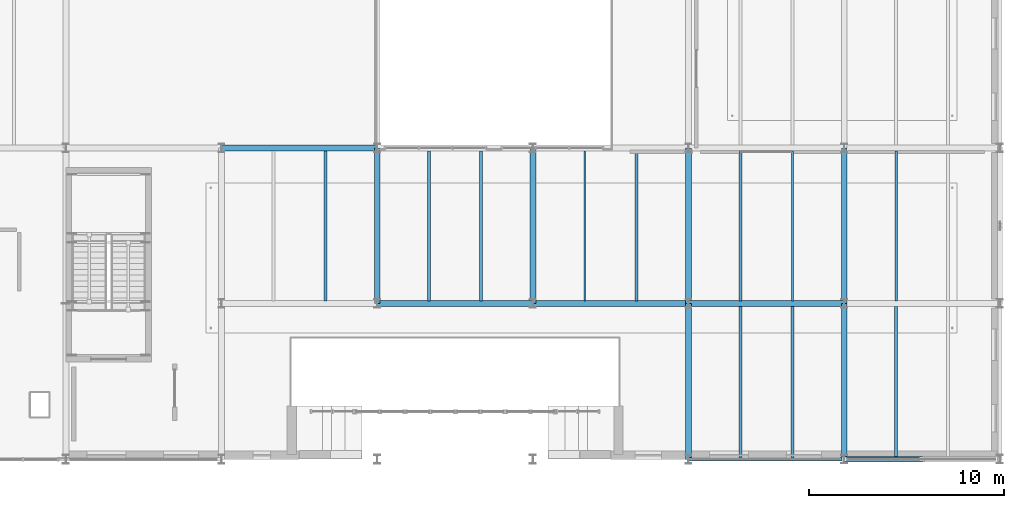
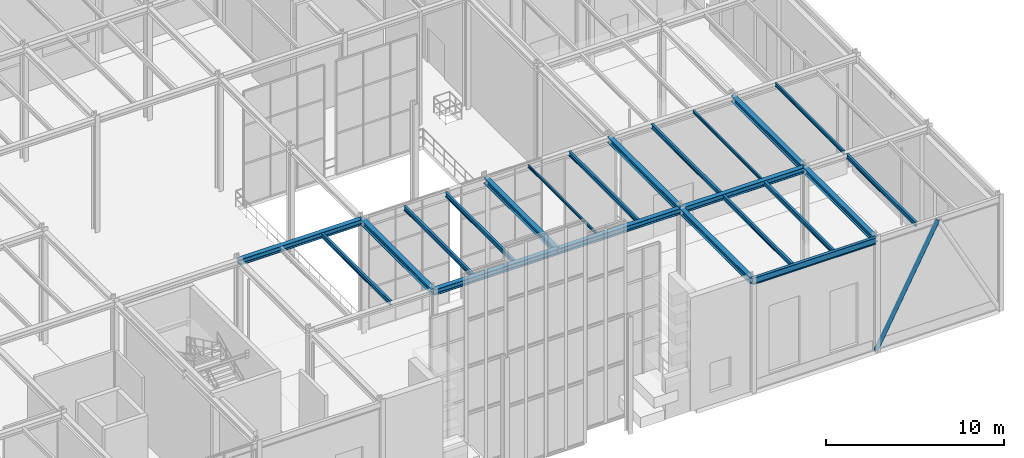
# One storey, part 67 of 138: 22 beams, 1 member.
"""IFC4 building model written with IfcOpenShell, lengths in metres."""

from ifc_helpers import new_model, si_unit, direction, frame, origin, origin_2d, place, context, subcontext, project, spatial, hollow_circle, i_section, extrude, material, material_profile, profile_set, type_object, element, save


model = new_model("IFC4")

# Units and contexts
model_context = context("Model", 3, precision=1e-05, world=origin(), true_north=direction((0.0, 1.0)))
body_context = subcontext(model_context, "Body", "Model", "MODEL_VIEW")
ifc_project = project(units=[si_unit("LENGTHUNIT", "METRE"), si_unit("AREAUNIT", "SQUARE_METRE"), si_unit("VOLUMEUNIT", "CUBIC_METRE"), si_unit("PLANEANGLEUNIT", "RADIAN"), si_unit("MASSUNIT", "GRAM", prefix="KILO")], contexts=[model_context])

# Site, building, storey
site_placement = place(None, origin())
site = spatial("IfcSite", under=ifc_project, at=site_placement, CompositionType="ELEMENT")
building_placement = place(site_placement, origin())
building = spatial("IfcBuilding", under=site, at=building_placement, Name="Sundkrona Museum", CompositionType="ELEMENT")
storey_placement = place(building_placement, frame((0.0, 0.0, 9.60009765625)))
storey = spatial("IfcBuildingStorey", under=building, at=storey_placement, Name="L02", CompositionType="ELEMENT", Elevation=9.60009765625)

# Beams
ifc_material = material(Name="Steel S355J2", Category="steel")
ifc_material_profile_1 = material_profile(ifc_material, i_section(OverallWidth=0.300048828125, OverallDepth=0.389892578125, WebThickness=0.010986328125, FlangeThickness=0.01904296875, FilletRadius=0.027099609375, at=origin_2d()), Name="HEA 400")
ifc_profile_set_1 = profile_set([ifc_material_profile_1], Name="Steel S355J2")
beam_type_1 = type_object("IfcBeamType", Name="B-HEA400", PredefinedType="BEAM", material=ifc_profile_set_1)
for number, where, z_axis, x_axis, name in (
    (1, (136.0, 8.0, 7.56494140625), (1.0, 0.0, 0.0), (0.0, 1.0, 0.0), "L02 Girder X-1135"),
    (2, (144.0, 8.0, 7.56494140625), (1.0, 0.0, 0.0), (0.0, 1.0, 0.0), "L02 Girder X-1136"),
    (3, (152.0, 8.0, 7.56494140625), (1.0, 0.0, 0.0), (0.0, 1.0, 0.0), "L02 Girder X-1137"),
    (4, (128.0, 16.0, 7.56494140625), (1.0, 0.0, 0.0), (0.0, 1.0, 0.0), "L02 Girder X-1142"),
    (5, (136.0, 8.0, 7.56494140625), (0.0, 1.0, 0.0), (-1.0, 0.0, 0.0), "L02 Girder Y-1342"),
    (6, (144.0, 8.0, 7.56494140625), (0.0, 1.0, 0.0), (-1.0, 0.0, 0.0), "L02 Girder Y-1356"),
    (7, (152.0, 0.0, 7.56494140625), (0.0, 1.0, 0.0), (-1.0, 0.0, 0.0), "L02 Girder Y-1367"),
    (8, (152.0, 8.0, 7.56494140625), (0.0, 1.0, 0.0), (-1.0, 0.0, 0.0), "L02 Girder Y-1368"),
    (9, (160.0, 0.0, 7.56494140625), (0.0, 1.0, 0.0), (-1.0, 0.0, 0.0), "L02 Girder Y-1382"),
    (10, (160.0, 8.0, 7.56494140625), (0.0, 1.0, 0.0), (-1.0, 0.0, 0.0), "L02 Girder Y-1383"),
):
    element("IfcBeam", number, at=place(storey_placement, frame(where, z_axis=z_axis, x_axis=x_axis)), inside=storey, type_object=beam_type_1, Name=name, PredefinedType="BEAM", context=body_context, shape_type="SweptSolid", body=[
        extrude(i_section(OverallWidth=0.300048828125, OverallDepth=0.389892578125, WebThickness=0.010986328125, FlangeThickness=0.01904296875, FilletRadius=0.027099609375, at=origin_2d()), origin(), (0.0, 0.0, 1.0), 8.0),
    ])

# Member
ifc_material_profile_2 = material_profile(ifc_material, hollow_circle(Radius=0.136474609375, WallThickness=0.012451171875, at=origin_2d()), Name="CHS 273.0x12.5")
ifc_profile_set_2 = profile_set([ifc_material_profile_2], Name="Steel S355J2")
member_type = type_object("IfcMemberType", Name="BR-CHS273", PredefinedType="BRACE", material=ifc_profile_set_2)
member_placement = place(storey_placement, frame((160.0, 0.0, 0.0), z_axis=(0.468651123165, 0.0, 0.883383339642), x_axis=(0.0, 1.0, 0.0)))
element("IfcMember", 11, at=member_placement, inside=storey, type_object=member_type, Name="CBR-1 L02 Concentric Chevron Brace 004A", PredefinedType="BRACE", context=body_context, shape_type="SweptSolid", body=[
    extrude(hollow_circle(Radius=0.136474609375, WallThickness=0.012451171875, at=origin_2d()), origin(), (0.0, 0.0, 1.0), 8.53515625),
])

# Beams
ifc_material_profile_3 = material_profile(ifc_material, i_section(OverallWidth=0.091064453125, OverallDepth=0.179931640625, WebThickness=0.00537109375, FlangeThickness=0.008056640625, FilletRadius=0.009033203125, at=origin_2d()), Name="IPE 180")
ifc_profile_set_3 = profile_set([ifc_material_profile_3], Name="Steel S355J2")
beam_type_2 = type_object("IfcBeamType", Name="J-IPE180", PredefinedType="JOIST", material=ifc_profile_set_3)
beam_1_placement = place(storey_placement, frame((146.666748046875, 8.14404296875, 7.669921875), z_axis=(0.0, 1.0, 0.0), x_axis=(-1.0, 0.0, 0.0)))
element("IfcBeam", 12, at=beam_1_placement, inside=storey, type_object=beam_type_2, Name="L02 Composite Joist 0895", PredefinedType="JOIST", context=body_context, shape_type="SweptSolid", body=[
    extrude(i_section(OverallWidth=0.091064453125, OverallDepth=0.179931640625, WebThickness=0.00537109375, FlangeThickness=0.008056640625, FilletRadius=0.009033203125, at=origin_2d()), origin(), (0.0, 0.0, 1.0), 7.7119140625),
])
ifc_material_profile_4 = material_profile(ifc_material, i_section(OverallWidth=0.10009765625, OverallDepth=0.199951171875, WebThickness=0.005615234375, FlangeThickness=0.008544921875, FilletRadius=0.011962890625, at=origin_2d()), Name="IPE 200")
ifc_profile_set_4 = profile_set([ifc_material_profile_4], Name="Steel S355J2")
beam_type_3 = type_object("IfcBeamType", Name="J-IPE200", PredefinedType="JOIST", material=ifc_profile_set_4)
beam_2_placement = place(storey_placement, frame((157.333251953125, 8.14404296875, 7.659912109375), z_axis=(0.0, 1.0, 0.0), x_axis=(-1.0, 0.0, 0.0)))
element("IfcBeam", 13, at=beam_2_placement, inside=storey, type_object=beam_type_3, Name="L02 Composite Joist 0920", PredefinedType="JOIST", context=body_context, shape_type="SweptSolid", body=[
    extrude(i_section(OverallWidth=0.10009765625, OverallDepth=0.199951171875, WebThickness=0.005615234375, FlangeThickness=0.008544921875, FilletRadius=0.011962890625, at=origin_2d()), origin(), (0.0, 0.0, 1.0), 7.7119140625),
])
ifc_material_profile_5 = material_profile(ifc_material, i_section(OverallWidth=0.1201171875, OverallDepth=0.239990234375, WebThickness=0.006103515625, FlangeThickness=0.009765625, FilletRadius=0.014892578125, at=origin_2d()), Name="IPE 240")
ifc_profile_set_5 = profile_set([ifc_material_profile_5], Name="Steel S355J2")
beam_type_4 = type_object("IfcBeamType", Name="J-IPE240", PredefinedType="JOIST", material=ifc_profile_set_5)
beam_3_placement = place(storey_placement, frame((162.666748046875, 8.14404296875, 7.639892578125), z_axis=(0.0, 1.0, 0.0), x_axis=(-1.0, 0.0, 0.0)))
element("IfcBeam", 14, at=beam_3_placement, inside=storey, type_object=beam_type_4, Name="L02 Composite Joist 0945", PredefinedType="JOIST", context=body_context, shape_type="SweptSolid", body=[
    extrude(i_section(OverallWidth=0.1201171875, OverallDepth=0.239990234375, WebThickness=0.006103515625, FlangeThickness=0.009765625, FilletRadius=0.014892578125, at=origin_2d()), origin(), (0.0, 0.0, 1.0), 7.7119140625),
])
ifc_material_profile_6 = material_profile(ifc_material, i_section(OverallWidth=0.14990234375, OverallDepth=0.300048828125, WebThickness=0.007080078125, FlangeThickness=0.0107421875, FilletRadius=0.014892578125, at=origin_2d()), Name="IPE 300")
ifc_profile_set_6 = profile_set([ifc_material_profile_6], Name="Steel S355J2")
beam_type_5 = type_object("IfcBeamType", Name="J-IPE300", PredefinedType="JOIST", material=ifc_profile_set_6)
for number, where, z_axis, x_axis, name in (
    (15, (133.333251953125, 8.14404296875, 7.60986328125), (0.0, 1.0, 0.0), (-1.0, 0.0, 0.0), "L02 Composite Joist 0868"),
    (16, (138.666748046875, 8.14404296875, 7.60986328125), (0.0, 1.0, 0.0), (-1.0, 0.0, 0.0), "L02 Composite Joist 0873"),
    (17, (141.333251953125, 8.14404296875, 7.60986328125), (0.0, 1.0, 0.0), (-1.0, 0.0, 0.0), "L02 Composite Joist 0874"),
    (18, (149.333251953125, 8.14404296875, 7.60986328125), (0.0, 1.0, 0.0), (-1.0, 0.0, 0.0), "L02 Composite Joist 0896"),
):
    element("IfcBeam", number, at=place(storey_placement, frame(where, z_axis=z_axis, x_axis=x_axis)), inside=storey, type_object=beam_type_5, Name=name, PredefinedType="JOIST", context=body_context, shape_type="SweptSolid", body=[
        extrude(i_section(OverallWidth=0.14990234375, OverallDepth=0.300048828125, WebThickness=0.007080078125, FlangeThickness=0.0107421875, FilletRadius=0.014892578125, at=origin_2d()), origin(), (0.0, 0.0, 1.0), 7.7119140625),
    ])
for number, where, z_axis, x_axis, name in (
    (19, (154.666748046875, 0.089111328125, 7.60986328125), (0.0, 1.0, 0.0), (-1.0, 0.0, 0.0), "L02 Composite Joist 0917"),
    (20, (157.333251953125, 0.089111328125, 7.60986328125), (0.0, 1.0, 0.0), (-1.0, 0.0, 0.0), "L02 Composite Joist 0918"),
):
    element("IfcBeam", number, at=place(storey_placement, frame(where, z_axis=z_axis, x_axis=x_axis)), inside=storey, type_object=beam_type_5, Name=name, PredefinedType="JOIST", context=body_context, shape_type="SweptSolid", body=[
        extrude(i_section(OverallWidth=0.14990234375, OverallDepth=0.300048828125, WebThickness=0.007080078125, FlangeThickness=0.0107421875, FilletRadius=0.014892578125, at=origin_2d()), origin(), (0.0, 0.0, 1.0), 7.766845703125),
    ])
beam_4_placement = place(storey_placement, frame((154.666748046875, 8.14404296875, 7.60986328125), z_axis=(0.0, 1.0, 0.0), x_axis=(-1.0, 0.0, 0.0)))
element("IfcBeam", 21, at=beam_4_placement, inside=storey, type_object=beam_type_5, Name="L02 Composite Joist 0919", PredefinedType="JOIST", context=body_context, shape_type="SweptSolid", body=[
    extrude(i_section(OverallWidth=0.14990234375, OverallDepth=0.300048828125, WebThickness=0.007080078125, FlangeThickness=0.0107421875, FilletRadius=0.014892578125, at=origin_2d()), origin(), (0.0, 0.0, 1.0), 7.7119140625),
])
beam_5_placement = place(storey_placement, frame((162.666748046875, 0.089111328125, 7.60986328125), z_axis=(0.0, 1.0, 0.0), x_axis=(-1.0, 0.0, 0.0)))
element("IfcBeam", 22, at=beam_5_placement, inside=storey, type_object=beam_type_5, Name="L02 Composite Joist 0943", PredefinedType="JOIST", context=body_context, shape_type="SweptSolid", body=[
    extrude(i_section(OverallWidth=0.14990234375, OverallDepth=0.300048828125, WebThickness=0.007080078125, FlangeThickness=0.0107421875, FilletRadius=0.014892578125, at=origin_2d()), origin(), (0.0, 0.0, 1.0), 7.766845703125),
])
ifc_material_profile_7 = material_profile(ifc_material, i_section(OverallWidth=0.18994140625, OverallDepth=0.449951171875, WebThickness=0.009521484375, FlangeThickness=0.0146484375, FilletRadius=0.02099609375, at=origin_2d()), Name="IPE 450")
ifc_profile_set_7 = profile_set([ifc_material_profile_7], Name="Steel S355J2")
beam_type_6 = type_object("IfcBeamType", Name="SP-IPE450", PredefinedType="SPANDREL", material=ifc_profile_set_7)
beam_6_placement = place(storey_placement, frame((152.0, 0.0, 7.534912109375), z_axis=(1.0, 0.0, 0.0), x_axis=(0.0, 1.0, 0.0)))
element("IfcBeam", 23, at=beam_6_placement, inside=storey, type_object=beam_type_6, Name="L02 Girder X-1128", PredefinedType="SPANDREL", context=body_context, shape_type="SweptSolid", body=[
    extrude(i_section(OverallWidth=0.18994140625, OverallDepth=0.449951171875, WebThickness=0.009521484375, FlangeThickness=0.0146484375, FilletRadius=0.02099609375, at=origin_2d()), origin(), (0.0, 0.0, 1.0), 8.0),
])

save(model, "model.ifc")
